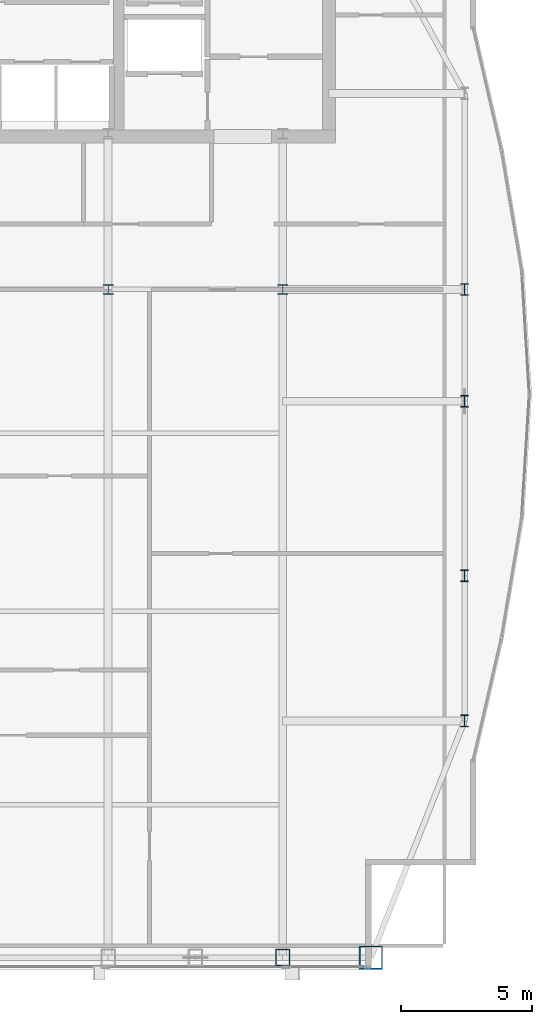
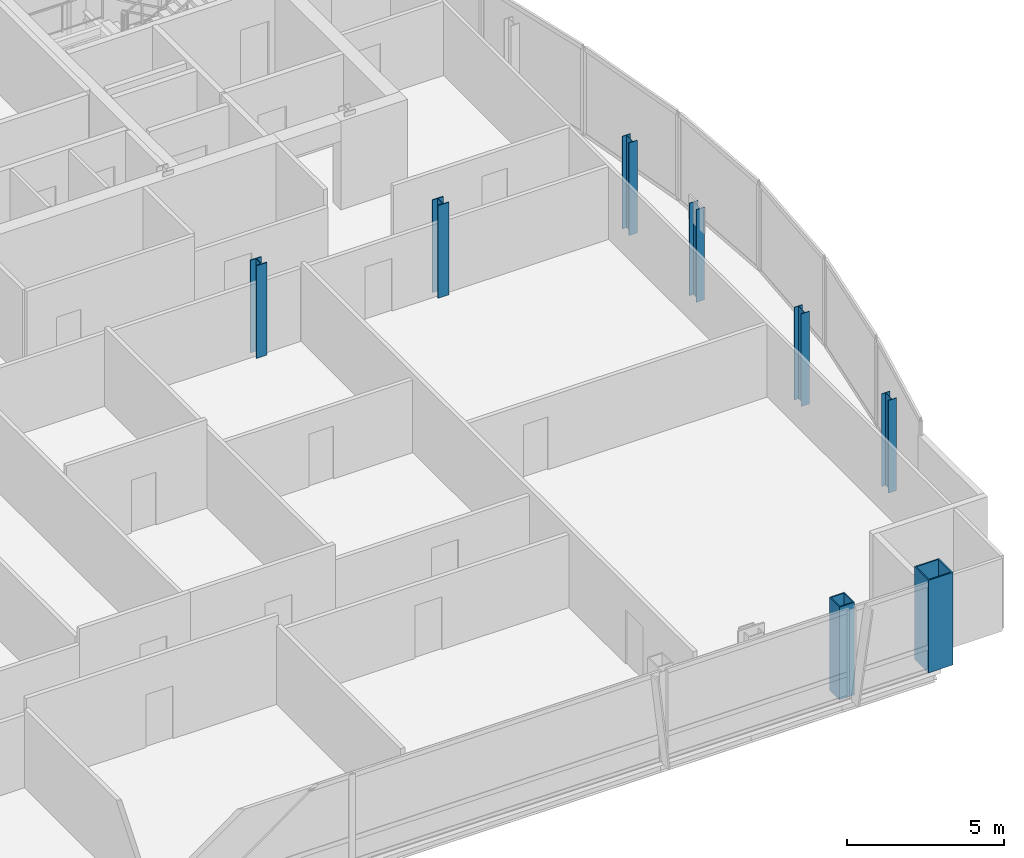
# One storey, part 2 of 29: 8 columns.
"""IFC4 building model written with IfcOpenShell, lengths in metres."""

from ifc_helpers import new_model, si_unit, direction, frame, origin, origin_2d, place, context, subcontext, project, spatial, hollow_rectangle, i_section, extrude, material, material_profile, profile_set, type_object, element, save


model = new_model("IFC4")

# Units and contexts
model_context = context("Model", 3, precision=1e-05, world=origin(), true_north=direction((0.0, 1.0)))
body_context = subcontext(model_context, "Body", "Model", "MODEL_VIEW")
ifc_project = project(units=[si_unit("LENGTHUNIT", "METRE"), si_unit("AREAUNIT", "SQUARE_METRE"), si_unit("VOLUMEUNIT", "CUBIC_METRE"), si_unit("PLANEANGLEUNIT", "RADIAN"), si_unit("MASSUNIT", "GRAM", prefix="KILO")], contexts=[model_context])

# Site, building, storey
site_placement = place(None, origin())
site = spatial("IfcSite", under=ifc_project, at=site_placement, CompositionType="ELEMENT")
building_placement = place(site_placement, origin())
building = spatial("IfcBuilding", under=site, at=building_placement, Name="Khoronbel Lancet Exchange", CompositionType="ELEMENT")
storey_placement = place(building_placement, frame((0.0, 0.0, 321.800048828125)))
storey = spatial("IfcBuildingStorey", under=building, at=storey_placement, Name="L83", CompositionType="ELEMENT", Elevation=321.800048828125)

# Columns
ifc_material_1 = material(Name="Steel S460", Category="steel")
ifc_material_profile_1 = material_profile(ifc_material_1, hollow_rectangle(XDim=0.550048828125, YDim=0.64990234375, WallThickness=0.0400390625, at=origin_2d()), Name="BOX 650x550x40")
ifc_profile_set_1 = profile_set([ifc_material_profile_1], Name="Steel S460")
column_type_1 = type_object("IfcColumnType", Name="COL-EC4", PredefinedType="COLUMN", material=ifc_profile_set_1)
column_1_placement = place(storey_placement, frame((54.675048828125, 10.14990234375, 0.0), z_axis=(0.0, 0.0, 1.0), x_axis=(1.0, 0.0, 0.0)))
element("IfcColumn", 1, at=column_1_placement, inside=storey, type_object=column_type_1, Name="Structural column SC-E2 L83", PredefinedType="COLUMN", context=body_context, shape_type="SweptSolid", body=[
    extrude(hollow_rectangle(XDim=0.550048828125, YDim=0.64990234375, WallThickness=0.0400390625, at=origin_2d()), origin(), (0.0, 0.0, 1.0), 3.599853515625),
])
ifc_material_2 = material(Name="Steel S355", Category="steel")
ifc_material_profile_2 = material_profile(ifc_material_2, i_section(OverallWidth=0.39892578125, OverallDepth=0.39306640625, WebThickness=0.022705078125, FlangeThickness=0.03662109375, at=origin_2d()), Name="HD 400x287")
ifc_profile_set_2 = profile_set([ifc_material_profile_2], Name="Steel S355")
column_type_2 = type_object("IfcColumnType", Name="COL-IC4", PredefinedType="COLUMN", material=ifc_profile_set_2)
for number, where, z_axis, x_axis, name in (
    (2, (48.0, 35.699951171875, 0.0), (0.0, 0.0, 1.0), (1.0, 0.0, 0.0), "Spine gravity column TC3 L83"),
    (3, (54.675048828125, 35.699951171875, 0.0), (0.0, 0.0, 1.0), (1.0, 0.0, 0.0), "Spine gravity column TC4 L83"),
):
    element("IfcColumn", number, at=place(storey_placement, frame(where, z_axis=z_axis, x_axis=x_axis)), inside=storey, type_object=column_type_2, Name=name, PredefinedType="COLUMN", context=body_context, shape_type="SweptSolid", body=[
        extrude(i_section(OverallWidth=0.39892578125, OverallDepth=0.39306640625, WebThickness=0.022705078125, FlangeThickness=0.03662109375, at=origin_2d()), origin(), (0.0, 0.0, 1.0), 3.599853515625),
    ])
ifc_material_profile_3 = material_profile(ifc_material_2, i_section(OverallWidth=0.300048828125, OverallDepth=0.449951171875, WebThickness=0.013916015625, FlangeThickness=0.02587890625, at=origin_2d()), Name="HEB 450")
ifc_profile_set_3 = profile_set([ifc_material_profile_3], Name="Steel S355")
column_type_3 = type_object("IfcColumnType", Name="COL-LC2", PredefinedType="COLUMN", material=ifc_profile_set_3)
for number, where, z_axis, x_axis, name in (
    (4, (61.6298828125, 19.199951171875, 0.0), (0.0, 0.0, 1.0), (1.0, 0.0, 0.0), "Structural column EC-1 L83"),
    (5, (61.6298828125, 24.75, 0.0), (0.0, 0.0, 1.0), (1.0, 0.0, 0.0), "Structural column EC-2 L83"),
    (6, (61.6298828125, 31.425048828125, 0.0), (0.0, 0.0, 1.0), (1.0, 0.0, 0.0), "Structural column EC-M L83"),
    (7, (61.6298828125, 35.699951171875, 0.0), (0.0, 0.0, 1.0), (1.0, 0.0, 0.0), "Structural column EC-3 L83"),
):
    element("IfcColumn", number, at=place(storey_placement, frame(where, z_axis=z_axis, x_axis=x_axis)), inside=storey, type_object=column_type_3, Name=name, PredefinedType="COLUMN", context=body_context, shape_type="SweptSolid", body=[
        extrude(i_section(OverallWidth=0.300048828125, OverallDepth=0.449951171875, WebThickness=0.013916015625, FlangeThickness=0.02587890625, at=origin_2d()), origin(), (0.0, 0.0, 1.0), 3.599853515625),
    ])
ifc_material_profile_4 = material_profile(ifc_material_1, hollow_rectangle(XDim=0.89990234375, YDim=0.89990234375, WallThickness=0.050048828125, at=origin_2d()), Name="BOX 900x900x50")
ifc_profile_set_4 = profile_set([ifc_material_profile_4], Name="Steel S460")
column_type_4 = type_object("IfcColumnType", Name="COL-MC7", PredefinedType="COLUMN", material=ifc_profile_set_4)
column_2_placement = place(storey_placement, frame((58.050048828125, 10.14990234375, 0.0), z_axis=(0.0, 0.0, 1.0), x_axis=(1.0, 0.0, 0.0)))
element("IfcColumn", 8, at=column_2_placement, inside=storey, type_object=column_type_4, Name="Structural column MC-SE L83", PredefinedType="COLUMN", context=body_context, shape_type="SweptSolid", body=[
    extrude(hollow_rectangle(XDim=0.89990234375, YDim=0.89990234375, WallThickness=0.050048828125, at=origin_2d()), origin(), (0.0, 0.0, 1.0), 3.599853515625),
])

save(model, "model.ifc")
